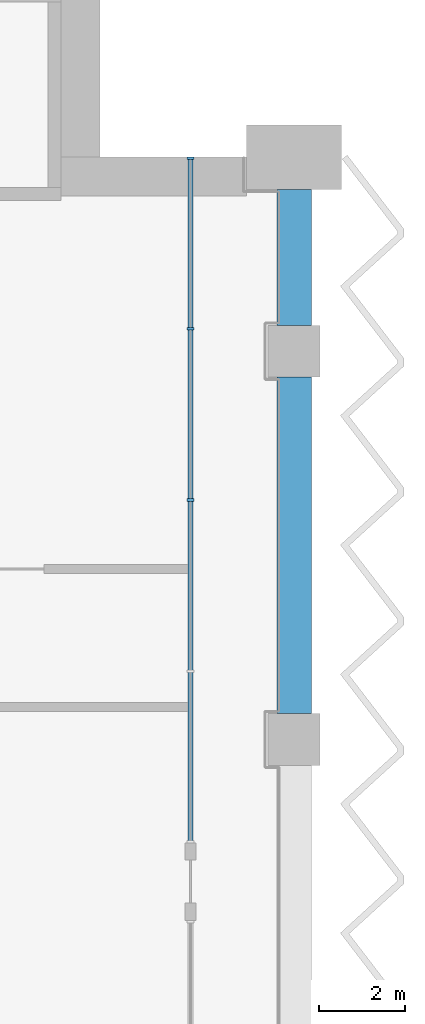
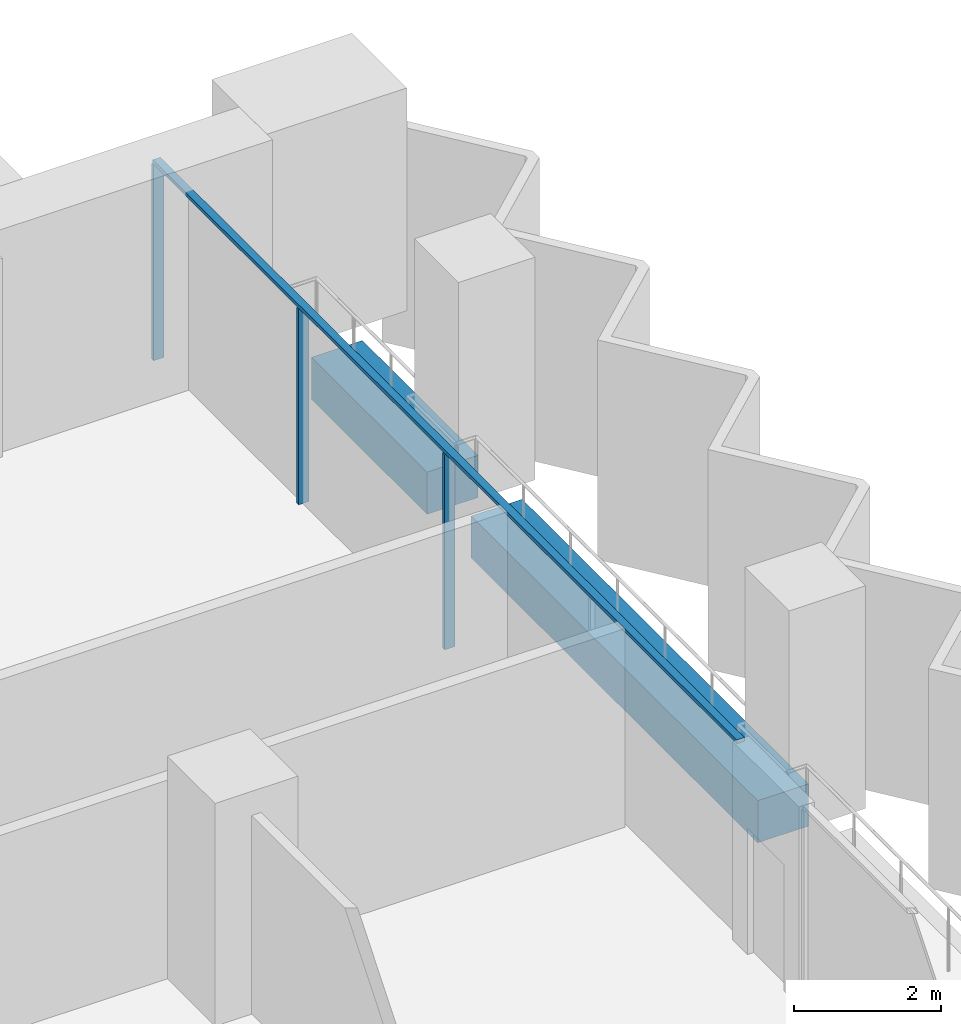
# One storey, part 6 of 22: 4 members, 2 beams, 1 element without a shape of its own.
"""IFC4 building model written with IfcOpenShell, lengths in metres."""

from ifc_helpers import new_model, si_unit, direction, frame, origin, origin_2d, place, context, subcontext, project, spatial, rectangle, extrude, material, material_profile, profile_set, type_object, element, aggregate, save


model = new_model("IFC4")

# Units and contexts
model_context = context("Model", 3, precision=1e-05, world=origin(), true_north=direction((0.0, 1.0)))
body_context = subcontext(model_context, "Body", "Model", "MODEL_VIEW")
ifc_project = project(units=[si_unit("LENGTHUNIT", "METRE"), si_unit("AREAUNIT", "SQUARE_METRE"), si_unit("VOLUMEUNIT", "CUBIC_METRE"), si_unit("PLANEANGLEUNIT", "RADIAN"), si_unit("MASSUNIT", "GRAM", prefix="KILO")], contexts=[model_context])

# Site, building, storey
site_placement = place(None, origin())
site = spatial("IfcSite", under=ifc_project, at=site_placement, CompositionType="ELEMENT")
building_placement = place(site_placement, origin())
building = spatial("IfcBuilding", under=site, at=building_placement, Name="Hunhe Ridgeline Campus", CompositionType="ELEMENT")
storey_placement = place(building_placement, frame((0.0, 0.0, 114.39990234375)))
storey = spatial("IfcBuildingStorey", under=building, at=storey_placement, Name="L28", CompositionType="ELEMENT", Elevation=114.39990234375)

# Curtain wall, members
ifc_material_1 = material(Name="Aluminium 6063", Category="aluminium")
curtain_wall_type = type_object("IfcCurtainWallType", Name="Curtain wall CW-1", PredefinedType="NOTDEFINED", material=ifc_material_1)
curtain_wall_placement = place(storey_placement, origin())
curtain_wall = element("IfcCurtainWall", 1, at=curtain_wall_placement, inside=storey, type_object=curtain_wall_type, Name="Curtain wall 15", PredefinedType="NOTDEFINED")
ifc_material_profile_1 = material_profile(ifc_material_1, rectangle(XDim=0.159912109375, YDim=0.06005859375, at=origin_2d()))
ifc_profile_set_1 = profile_set([ifc_material_profile_1], Name="Aluminium 6063")
member_type_1 = type_object("IfcMemberType", Name="CW-1 aluminium mullion", PredefinedType="MULLION", material=ifc_profile_set_1)
member_1_placement = place(storey_placement, frame((78.59912109375, 86.55029296875, 0.0), z_axis=(0.0, 0.0, 1.0), x_axis=(-1.0, 0.0, 0.0)))
member_1 = element("IfcMember", 2, at=member_1_placement, type_object=member_type_1, Name="CW-1 mullion 3", PredefinedType="MULLION", context=body_context, shape_type="SweptSolid", body=[
    extrude(rectangle(XDim=0.159912109375, YDim=0.06005859375, at=origin_2d()), origin(), (0.0, 0.0, 1.0), 3.239990234375),
])
member_2_placement = place(storey_placement, frame((78.59912109375, 90.525146484375, 0.0), z_axis=(0.0, 0.0, 1.0), x_axis=(-1.0, 0.0, 0.0)))
member_2 = element("IfcMember", 3, at=member_2_placement, type_object=member_type_1, Name="CW-1 mullion 4", PredefinedType="MULLION", context=body_context, shape_type="SweptSolid", body=[
    extrude(rectangle(XDim=0.159912109375, YDim=0.06005859375, at=origin_2d()), origin(), (0.0, 0.0, 1.0), 3.239990234375),
])
member_3_placement = place(storey_placement, frame((78.59912109375, 94.469970703125, 0.0), z_axis=(0.0, 0.0, 1.0), x_axis=(-1.0, 0.0, 0.0)))
member_3 = element("IfcMember", 4, at=member_3_placement, type_object=member_type_1, Name="CW-1 mullion 5", PredefinedType="MULLION", context=body_context, shape_type="SweptSolid", body=[
    extrude(rectangle(XDim=0.159912109375, YDim=0.06005859375, at=origin_2d()), origin(), (0.0, 0.0, 1.0), 3.239990234375),
])
ifc_material_profile_2 = material_profile(ifc_material_1, rectangle(XDim=0.1201171875, YDim=0.06005859375, at=origin_2d()))
ifc_profile_set_2 = profile_set([ifc_material_profile_2], Name="Aluminium 6063")
member_type_2 = type_object("IfcMemberType", Name="CW-1 aluminium transom", PredefinedType="USERDEFINED", material=ifc_profile_set_2)
member_4_placement = place(storey_placement, frame((78.59912109375, 78.6005859375, 3.27001953125), z_axis=(0.0, 1.0, 0.0), x_axis=(-1.0, 0.0, 0.0)))
member_4 = element("IfcMember", 5, at=member_4_placement, type_object=member_type_2, Name="CW-1 transom 1", ObjectType="TRANSOM", PredefinedType="USERDEFINED", context=body_context, shape_type="SweptSolid", body=[
    extrude(rectangle(XDim=0.1201171875, YDim=0.06005859375, at=origin_2d()), origin(), (0.0, 0.0, 1.0), 15.8994140625),
])
aggregate(curtain_wall, [member_4, member_1, member_2, member_3])

# Beams
ifc_material_2 = material(Name="Concrete C60", Category="concrete")
ifc_material_profile_3 = material_profile(ifc_material_2, rectangle(XDim=0.800048828125, YDim=0.699951171875, at=origin_2d()))
ifc_profile_set_3 = profile_set([ifc_material_profile_3], Name="Concrete C60")
beam_type = type_object("IfcBeamType", Name="RC spandrel beam 800x700 Concrete C60", PredefinedType="SPANDREL", material=ifc_profile_set_3)
beam_1_placement = place(storey_placement, frame((81.0, 81.60009765625, -0.599853515625), z_axis=(0.0, 1.0, 0.0), x_axis=(-1.0, 0.0, 0.0)))
element("IfcBeam", 6, at=beam_1_placement, inside=storey, type_object=beam_type, Name="Spandrel beam B1-21 L28", PredefinedType="SPANDREL", context=body_context, shape_type="SweptSolid", body=[
    extrude(rectangle(XDim=0.800048828125, YDim=0.699951171875, at=origin_2d()), origin(), (0.0, 0.0, 1.0), 7.7998046875),
])
beam_2_placement = place(storey_placement, frame((81.0, 90.60009765625, -0.599853515625), z_axis=(0.0, 1.0, 0.0), x_axis=(-1.0, 0.0, 0.0)))
element("IfcBeam", 7, at=beam_2_placement, inside=storey, type_object=beam_type, Name="Spandrel beam B1-22 L28", PredefinedType="SPANDREL", context=body_context, shape_type="SweptSolid", body=[
    extrude(rectangle(XDim=0.800048828125, YDim=0.699951171875, at=origin_2d()), origin(), (0.0, 0.0, 1.0), 3.14990234375),
])

save(model, "model.ifc")
